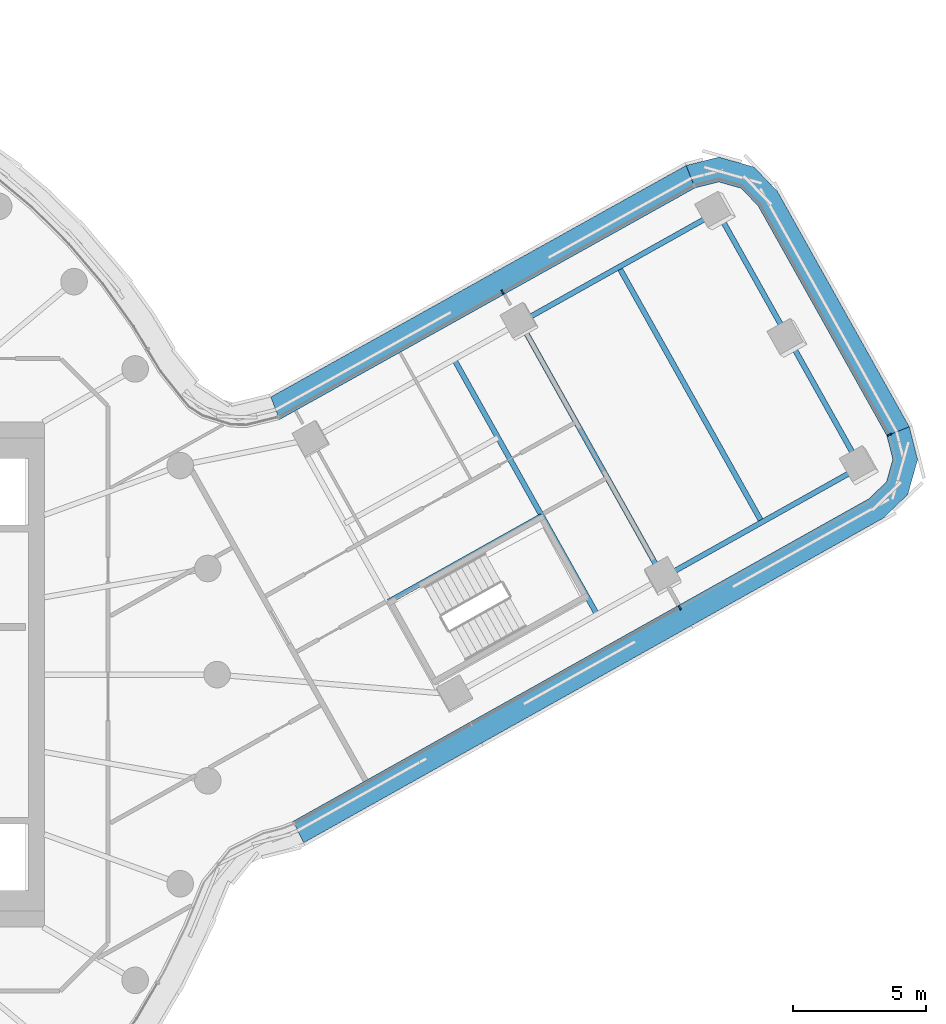
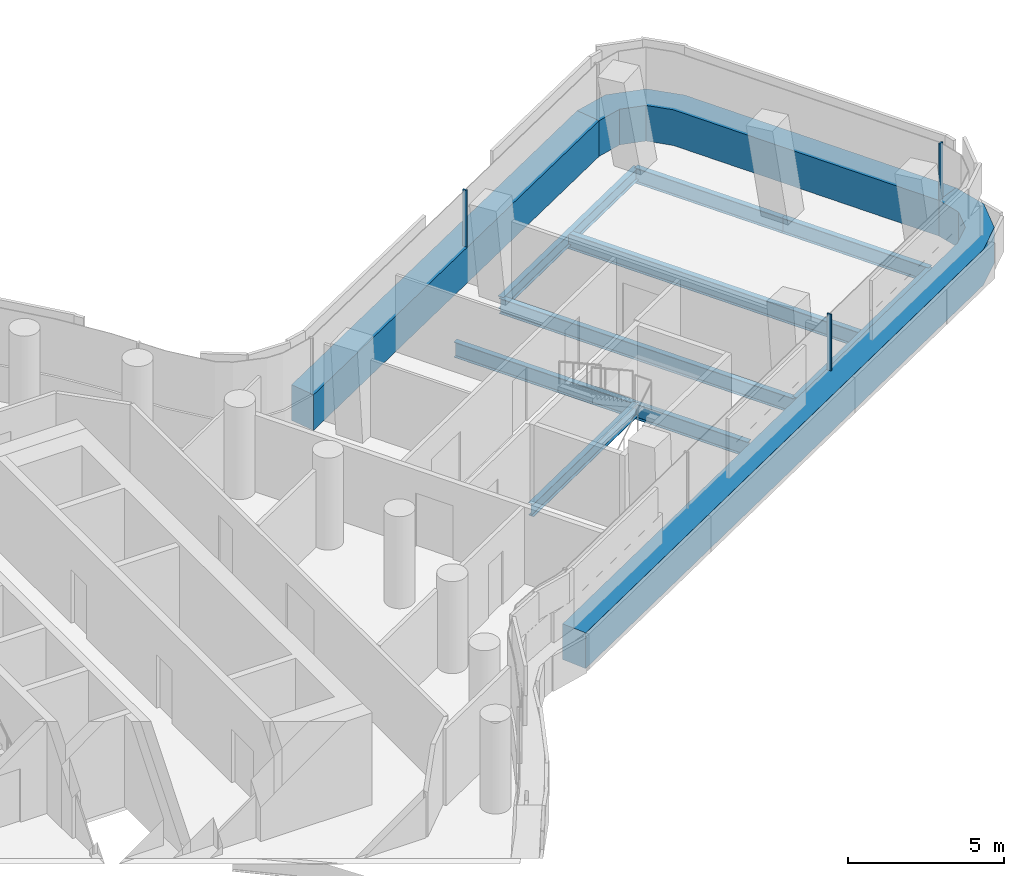
# One storey, part 13 of 34: 8 beams, 6 members, 3 elements without a shape of their own.
"""IFC4 building model written with IfcOpenShell, lengths in metres."""

from ifc_helpers import new_model, si_unit, direction, frame, origin, origin_2d, place, context, subcontext, project, spatial, polyline, rectangle, i_section, outline, extrude, material, layer, layer_set, material_profile, profile_set, type_object, element, aggregate, save


model = new_model("IFC4")

# Units and contexts
model_context = context("Model", 3, precision=1e-05, world=origin(), true_north=direction((0.0, 1.0)))
body_context = subcontext(model_context, "Body", "Model", "MODEL_VIEW")
ifc_project = project(units=[si_unit("LENGTHUNIT", "METRE"), si_unit("AREAUNIT", "SQUARE_METRE"), si_unit("VOLUMEUNIT", "CUBIC_METRE"), si_unit("PLANEANGLEUNIT", "RADIAN"), si_unit("MASSUNIT", "GRAM", prefix="KILO")], contexts=[model_context])

# Site, building, storey
site_placement = place(None, origin())
site = spatial("IfcSite", under=ifc_project, at=site_placement, CompositionType="ELEMENT")
building_placement = place(site_placement, origin())
building = spatial("IfcBuilding", under=site, at=building_placement, Name="Tamarind Cross Interchange Tower", CompositionType="ELEMENT")
storey_placement = place(building_placement, frame((0.0, 0.0, 140.5)))
storey = spatial("IfcBuildingStorey", under=building, at=storey_placement, Name="L34", CompositionType="ELEMENT", Elevation=140.5)

# Beams
ifc_material_1 = material(Name="Steel Q355B", Category="steel")
ifc_material_profile_1 = material_profile(ifc_material_1, i_section(OverallWidth=0.198974609375, OverallDepth=0.49609375, WebThickness=0.009033203125, FlangeThickness=0.013916015625, FilletRadius=0.012939453125, at=origin_2d()), Name="HN 496x199x9x14")
ifc_profile_set_1 = profile_set([ifc_material_profile_1], Name="Steel Q355B")
beam_type_1 = type_object("IfcBeamType", Name="Composite beam HN 496x199x9x14 Q355B", PredefinedType="BEAM", material=ifc_profile_set_1)
for number, where, z_axis, x_axis, name in (
    (1, (47.20703125, 7.815185546875, -0.387939453125), (-0.872456609096, -0.488691584994, 0.0), (0.488691584994, -0.872456609096, 0.0), "Beam E-edgeem5"),
    (2, (41.83154296875, 17.412109375, -0.387939453125), (-0.872468838825, -0.488669750731, 0.0), (0.488669750731, -0.872468838825, 0.0), "Beam E-edgeep2"),
):
    element("IfcBeam", number, at=place(storey_placement, frame(where, z_axis=z_axis, x_axis=x_axis)), inside=storey, type_object=beam_type_1, Name=name, PredefinedType="BEAM", context=body_context, shape_type="SweptSolid", body=[
        extrude(i_section(OverallWidth=0.198974609375, OverallDepth=0.49609375, WebThickness=0.009033203125, FlangeThickness=0.013916015625, FilletRadius=0.012939453125, at=origin_2d()), origin(), (0.0, 0.0, 1.0), 8.51123046875),
    ])
beam_1_placement = place(storey_placement, frame((29.459716796875, 2.74560546875, -0.387939453125), z_axis=(0.872452392813, 0.488699112209, 0.0), x_axis=(-0.488699112209, 0.872452392813, 0.0)))
element("IfcBeam", 3, at=beam_1_placement, inside=storey, type_object=beam_type_1, Name="Beam E-tr1", PredefinedType="BEAM", context=body_context, shape_type="SweptSolid", body=[
    extrude(i_section(OverallWidth=0.198974609375, OverallDepth=0.49609375, WebThickness=0.009033203125, FlangeThickness=0.013916015625, FilletRadius=0.012939453125, at=origin_2d()), origin(), (0.0, 0.0, 1.0), 6.599853515625),
])
ifc_material_profile_2 = material_profile(ifc_material_1, i_section(OverallWidth=0.199951171875, OverallDepth=0.60009765625, WebThickness=0.010986328125, FlangeThickness=0.01708984375, FilletRadius=0.012939453125, at=origin_2d()), Name="HN 600x200x11x17")
ifc_profile_set_2 = profile_set([ifc_material_profile_2], Name="Steel Q355B")
beam_type_2 = type_object("IfcBeamType", Name="Composite beam HN 600x200x11x17 Q355B", PredefinedType="BEAM", material=ifc_profile_set_2)
beam_2_placement = place(storey_placement, frame((47.20703125, 7.815185546875, -0.43994140625), z_axis=(-0.488677709151, 0.872464381267, 0.0), x_axis=(-0.872464381267, -0.488677709151, 0.0)))
element("IfcBeam", 4, at=beam_2_placement, inside=storey, type_object=beam_type_2, Name="Beam E-tip0", PredefinedType="BEAM", context=body_context, shape_type="SweptSolid", body=[
    extrude(i_section(OverallWidth=0.199951171875, OverallDepth=0.60009765625, WebThickness=0.010986328125, FlangeThickness=0.01708984375, FilletRadius=0.012939453125, at=origin_2d()), origin(), (0.0, 0.0, 1.0), 5.5),
])
beam_3_placement = place(storey_placement, frame((44.519287109375, 12.61376953125, -0.43994140625), z_axis=(-0.488696635161, 0.872453780313, 0.0), x_axis=(-0.872453780313, -0.488696635161, 0.0)))
element("IfcBeam", 5, at=beam_3_placement, inside=storey, type_object=beam_type_2, Name="Beam E-tip1", PredefinedType="BEAM", context=body_context, shape_type="SweptSolid", body=[
    extrude(i_section(OverallWidth=0.199951171875, OverallDepth=0.60009765625, WebThickness=0.010986328125, FlangeThickness=0.01708984375, FilletRadius=0.012939453125, at=origin_2d()), origin(), (0.0, 0.0, 1.0), 5.499755859375),
])
beam_4_placement = place(storey_placement, frame((37.294921875, 2.262939453125, -0.43994140625), z_axis=(-0.488694603171, 0.872454918509, 0.0), x_axis=(-0.872454918509, -0.488694603171, 0.0)))
element("IfcBeam", 6, at=beam_4_placement, inside=storey, type_object=beam_type_2, Name="Beam E-x364", PredefinedType="BEAM", context=body_context, shape_type="SweptSolid", body=[
    extrude(i_section(OverallWidth=0.199951171875, OverallDepth=0.60009765625, WebThickness=0.010986328125, FlangeThickness=0.01708984375, FilletRadius=0.012939453125, at=origin_2d()), origin(), (0.0, 0.0, 1.0), 11.000244140625),
])
for number, where, z_axis, x_axis, name in (
    (7, (39.78125, 3.65576171875, -0.43994140625), (-0.488677709151, 0.872464381267, 0.0), (-0.872464381267, -0.488677709151, 0.0), "Beam E-x393"),
    (8, (43.494140625, 5.7353515625, -0.43994140625), (-0.488677709151, 0.872464381267, 0.0), (-0.872464381267, -0.488677709151, 0.0), "Beam E-x436"),
):
    element("IfcBeam", number, at=place(storey_placement, frame(where, z_axis=z_axis, x_axis=x_axis)), inside=storey, type_object=beam_type_2, Name=name, PredefinedType="BEAM", context=body_context, shape_type="SweptSolid", body=[
        extrude(i_section(OverallWidth=0.199951171875, OverallDepth=0.60009765625, WebThickness=0.010986328125, FlangeThickness=0.01708984375, FilletRadius=0.012939453125, at=origin_2d()), origin(), (0.0, 0.0, 1.0), 11.0),
    ])

# Curtain wall, member
ifc_material_2 = material(Name="Aluminium 6063-T6", Category="aluminium")
ifc_layer = layer(ifc_material_2, 0.159912109375)
ifc_layer_set = layer_set([ifc_layer], Name="Aluminium 6063-T6")
curtain_wall_type = type_object("IfcCurtainWallType", Name="Office curtain wall, 9.0 m bays", PredefinedType="NOTDEFINED", material=ifc_layer_set)
curtain_wall_1_placement = place(storey_placement, origin())
curtain_wall_1 = element("IfcCurtainWall", 9, at=curtain_wall_1_placement, inside=storey, type_object=curtain_wall_type, Name="CWS-L34-07", PredefinedType="NOTDEFINED")
ifc_material_3 = material(Name="Aluminium and insulated spandrel panel", Category="aluminium")
member_type_1 = type_object("IfcMemberType", Name="Floor-edge blade transom", PredefinedType="USERDEFINED", material=ifc_material_3)
member_1_placement = place(storey_placement, origin())
member_1 = element("IfcMember", 10, at=member_1_placement, type_object=member_type_1, Name="CWT-L34-07", ObjectType="TRANSOM", PredefinedType="USERDEFINED", context=body_context, shape_type="SweptSolid", body=[
    extrude(outline(polyline([(25.86572265625, -5.51416015625), (47.530029296875, 6.62060546875), (48.185546875, 7.259521484375), (48.423095703125, 8.10107421875), (48.197509765625, 8.98828125), (49.040771484375, 9.32470703125), (49.354736328125, 8.089111328125), (48.986572265625, 6.783203125), (48.0732421875, 5.893310546875), (26.25390625, -6.328125), (25.86572265625, -5.51416015625)])), origin(), (0.0, 0.0, 1.0), 1.39990234375),
])

curtain_wall_2_placement = place(storey_placement, origin())
curtain_wall_2 = element("IfcCurtainWall", 11, at=curtain_wall_2_placement, inside=storey, type_object=curtain_wall_type, Name="CWS-L34-08", PredefinedType="NOTDEFINED")
member_2_placement = place(storey_placement, origin())
member_2 = element("IfcMember", 12, at=member_2_placement, type_object=member_type_1, Name="CWT-L34-08", ObjectType="TRANSOM", PredefinedType="USERDEFINED", context=body_context, shape_type="SweptSolid", body=[
    extrude(outline(polyline([(48.197509765625, 8.98828125), (43.349365234375, 17.64404296875), (42.71044921875, 18.299560546875), (41.868896484375, 18.536865234375), (40.981201171875, 18.3115234375), (40.645751953125, 19.15478515625), (41.880859375, 19.46875), (43.186767578125, 19.100341796875), (44.07666015625, 18.187255859375), (49.040771484375, 9.32470703125), (48.197509765625, 8.98828125)])), origin(), (0.0, 0.0, 1.0), 1.39990234375),
])

curtain_wall_3_placement = place(storey_placement, origin())
curtain_wall_3 = element("IfcCurtainWall", 13, at=curtain_wall_3_placement, inside=storey, type_object=curtain_wall_type, Name="CWS-L34-09", PredefinedType="NOTDEFINED")
member_3_placement = place(storey_placement, origin())
member_3 = element("IfcMember", 14, at=member_3_placement, type_object=member_type_1, Name="CWT-L34-09", ObjectType="TRANSOM", PredefinedType="USERDEFINED", context=body_context, shape_type="SweptSolid", body=[
    extrude(outline(polyline([(40.981201171875, 18.3115234375), (25.3505859375, 9.597900390625), (25.0185546875, 10.443359375), (40.645751953125, 19.15478515625), (40.981201171875, 18.3115234375)])), origin(), (0.0, 0.0, 1.0), 1.39990234375),
])

# Member
ifc_material_profile_3 = material_profile(ifc_material_2, rectangle(XDim=0.06005859375, YDim=0.159912109375, at=origin_2d()), Name="Mullion CW1")
ifc_profile_set_3 = profile_set([ifc_material_profile_3], Name="Aluminium 6063-T6")
member_type_2 = type_object("IfcMemberType", Name="Mullion CW1", PredefinedType="MULLION", material=ifc_profile_set_3)
member_4_placement = place(storey_placement, frame((40.405029296875, 2.51513671875, 1.39990234375), z_axis=(0.0, 0.0, 1.0), x_axis=(0.872458481082, 0.488688242939, 0.0)))
member_4 = element("IfcMember", 15, at=member_4_placement, type_object=member_type_2, Name="CWM-L34-07-02", PredefinedType="MULLION", context=body_context, shape_type="SweptSolid", body=[
    extrude(rectangle(XDim=0.06005859375, YDim=0.159912109375, at=origin_2d()), origin(), (0.0, 0.0, 1.0), 2.210205078125),
])

aggregate(curtain_wall_1, [member_4, member_1])

member_5_placement = place(storey_placement, frame((48.291259765625, 9.025634765625, 1.39990234375), z_axis=(0.0, 0.0, 1.0), x_axis=(-0.37062876387, 0.928781093365, 0.0)))
member_5 = element("IfcMember", 16, at=member_5_placement, type_object=member_type_2, Name="CWM-L34-08-00", PredefinedType="MULLION", context=body_context, shape_type="SweptSolid", body=[
    extrude(rectangle(XDim=0.06005859375, YDim=0.159912109375, at=origin_2d()), origin(), (0.0, 0.0, 1.0), 2.210205078125),
])

aggregate(curtain_wall_2, [member_5, member_2])

member_6_placement = place(storey_placement, frame((33.73876953125, 14.388427734375, 1.39990234375), z_axis=(0.0, 0.0, 1.0), x_axis=(-0.873449626547, -0.486914520101, 0.0)))
member_6 = element("IfcMember", 17, at=member_6_placement, type_object=member_type_2, Name="CWM-L34-09-01", PredefinedType="MULLION", context=body_context, shape_type="SweptSolid", body=[
    extrude(rectangle(XDim=0.06005859375, YDim=0.159912109375, at=origin_2d()), origin(), (0.0, 0.0, 1.0), 2.210205078125),
])

aggregate(curtain_wall_3, [member_6, member_3])

save(model, "model.ifc")
